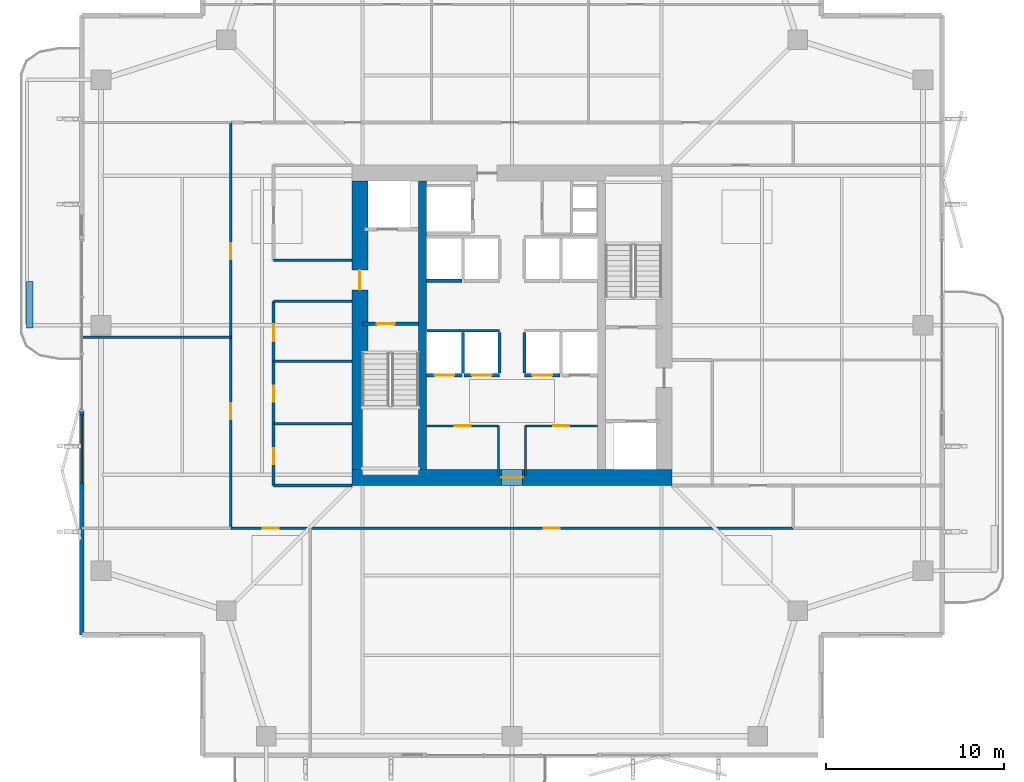
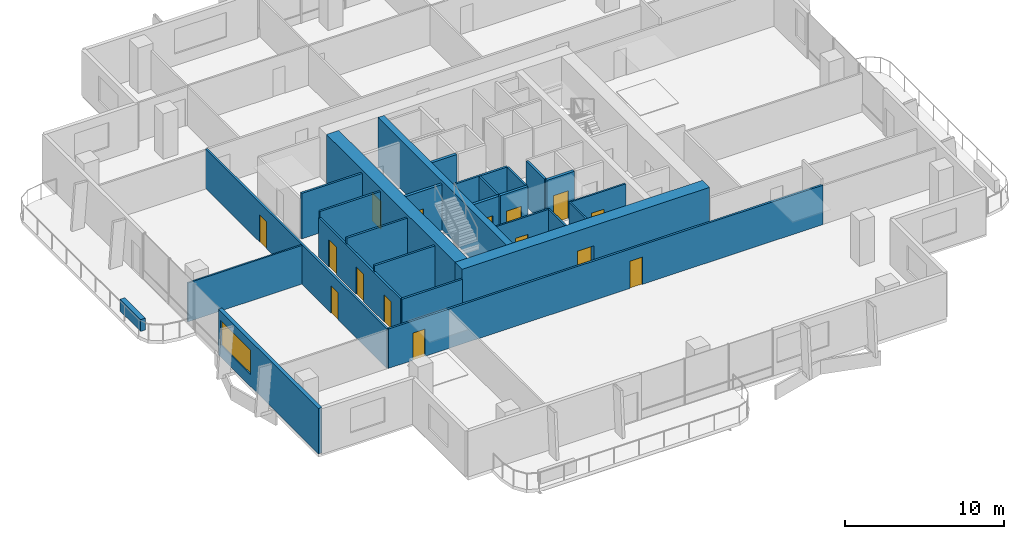
# One storey, part 19 of 25: 27 walls, 15 doors, 1 window, 16 openings.
"""IFC4 building model written with IfcOpenShell, lengths in metres."""

from ifc_helpers import new_model, si_unit, direction, frame, frame_2d, origin, place, context, subcontext, project, spatial, rectangle, extrude, material, layer, layer_set, type_object, element, fill, save


model = new_model("IFC4")

# Units and contexts
model_context = context("Model", 3, precision=1e-05, world=origin(), true_north=direction((0.0, 1.0)))
body_context = subcontext(model_context, "Body", "Model", "MODEL_VIEW")
ifc_project = project(units=[si_unit("LENGTHUNIT", "METRE"), si_unit("AREAUNIT", "SQUARE_METRE"), si_unit("VOLUMEUNIT", "CUBIC_METRE"), si_unit("PLANEANGLEUNIT", "RADIAN"), si_unit("MASSUNIT", "GRAM", prefix="KILO")], contexts=[model_context])

# Site, building, storey
site_placement = place(None, origin())
site = spatial("IfcSite", under=ifc_project, at=site_placement, CompositionType="ELEMENT")
building_placement = place(site_placement, origin())
building = spatial("IfcBuilding", under=site, at=building_placement, Name="Belovzor Exchange Tower", CompositionType="ELEMENT")
storey_placement = place(building_placement, frame((0.0, 0.0, 183.300048828125)))
storey = spatial("IfcBuildingStorey", under=building, at=storey_placement, Name="L45", CompositionType="ELEMENT", Elevation=183.300048828125)

# Wall
ifc_material_1 = material(Name="Acoustic Plasterboard on Galvanised Studs", Category="gypsum")
ifc_layer_1 = layer(ifc_material_1, 0.1201171875)
ifc_layer_set_1 = layer_set([ifc_layer_1], Name="Acoustic Plasterboard on Galvanised Studs")
wall_type_1 = type_object("IfcWallType", Name="Acoustic Double-Stud Partition Wall 120", PredefinedType="PARTITIONING", material=ifc_layer_set_1)
wall_1_placement = place(storey_placement, frame((4.6298828125, 28.1298828125, 0.0), z_axis=(0.0, 0.0, 1.0), x_axis=(1.0, 0.0, 0.0)))
element("IfcWall", 1, at=wall_1_placement, inside=storey, type_object=wall_type_1, Name="W-P120 Partition Wall W-L45-WDIV-1", PredefinedType="PARTITIONING", context=body_context, shape_type="SweptSolid", body=[
    extrude(rectangle(XDim=8.3701171875, YDim=0.1201171875, at=frame_2d((4.18505859375, 0.0))), origin(), (0.0, 0.0, 1.0), 2.97998046875),
])

# Wall, opening, door
ifc_material_2 = material(Name="Fire-Rated Plasterboard on Galvanised Studs", Category="gypsum")
ifc_layer_2 = layer(ifc_material_2, 0.1201171875)
ifc_layer_set_2 = layer_set([ifc_layer_2], Name="Fire-Rated Plasterboard on Galvanised Studs")
wall_type_2 = type_object("IfcWallType", Name="Fire-Rated Double-Stud Partition Wall 120", PredefinedType="PARTITIONING", material=ifc_layer_set_2)
wall_2_placement = place(storey_placement, frame((24.0, 23.14990234375, 0.0), z_axis=(0.0, 0.0, 1.0), x_axis=(1.0, 0.0, 0.0)))
wall_2 = element("IfcWall", 2, at=wall_2_placement, inside=storey, type_object=wall_type_2, Name="W-P120F Partition Wall W-CRL-L45-WN", PredefinedType="PARTITIONING", context=body_context, shape_type="SweptSolid", body=[
    extrude(rectangle(XDim=4.050048828125, YDim=0.1201171875, at=frame_2d((2.02490234375, 0.0))), origin(), (0.0, 0.0, 1.0), 3.494873046875),
])
opening_1_placement = place(wall_2_placement, frame((1.574951171875, 0.0, 0.0)))
opening_1 = element("IfcOpeningElement", 3, at=opening_1_placement, cuts=wall_2, Name="Opening D-FD60-090", PredefinedType="OPENING", context=body_context, shape_type="SweptSolid", body=[
    extrude(rectangle(XDim=0.89990234375, YDim=2.10009765625, at=frame_2d((0.449951171875, 1.050048828125))), frame((0.0, 0.070068359375, 0.0), z_axis=(0.0, -1.0, 0.0), x_axis=(1.0, 0.0, 0.0)), (0.0, 0.0, 1.0), 0.14013671875),
])
ifc_material_3 = material(Name="Acoustic Timber Fire Leaf", Category="wood")
door_type_1 = type_object("IfcDoorType", Name="Core Service & Restroom Fire Door 900x2100", OperationType="NOTDEFINED", PredefinedType="DOOR", material=ifc_material_3)
door_1_placement = place(opening_1_placement, origin())
door_1 = element("IfcDoor", 4, at=door_1_placement, inside=storey, type_object=door_type_1, Name="D-FD60-090 Core Service & Restroom Fire Door 900x2100", OperationType="SINGLE_SWING_LEFT", OverallHeight=2.10009765625, OverallWidth=0.89990234375, PredefinedType="DOOR", context=body_context, shape_type="SweptSolid", body=[
    extrude(rectangle(XDim=0.89990234375, YDim=2.10009765625, at=frame_2d((0.449951171875, 1.050048828125))), frame((0.0, 0.02490234375, 0.0), z_axis=(0.0, -1.0, 0.0), x_axis=(1.0, 0.0, 0.0)), (0.0, 0.0, 1.0), 0.050048828125),
])
fill(opening_1, door_1)

# Wall
wall_3_placement = place(storey_placement, frame((28.050048828125, 20.39990234375, 0.0), z_axis=(0.0, 0.0, 1.0), x_axis=(0.0, 1.0, 0.0)))
element("IfcWall", 5, at=wall_3_placement, inside=storey, type_object=wall_type_2, Name="W-P120F Partition Wall W-CRL-L45-WE", PredefinedType="PARTITIONING", context=body_context, shape_type="SweptSolid", body=[
    extrude(rectangle(XDim=2.75, YDim=0.1201171875, at=frame_2d((1.375, 0.0))), origin(), (0.0, 0.0, 1.0), 3.494873046875),
])

# Wall, opening, door
wall_4_placement = place(storey_placement, frame((29.550048828125, 23.14990234375, 0.0), z_axis=(0.0, 0.0, 1.0), x_axis=(1.0, 0.0, 0.0)))
wall_4 = element("IfcWall", 6, at=wall_4_placement, inside=storey, type_object=wall_type_2, Name="W-P120F Partition Wall W-CRL-L45-EN", PredefinedType="PARTITIONING", context=body_context, shape_type="SweptSolid", body=[
    extrude(rectangle(XDim=4.050048828125, YDim=0.1201171875, at=frame_2d((2.02490234375, 0.0))), origin(), (0.0, 0.0, 1.0), 3.494873046875),
])
opening_2_placement = place(wall_4_placement, frame((1.574951171875, 0.0, 0.0)))
opening_2 = element("IfcOpeningElement", 7, at=opening_2_placement, cuts=wall_4, Name="Opening D-FD60-090", PredefinedType="OPENING", context=body_context, shape_type="SweptSolid", body=[
    extrude(rectangle(XDim=0.89990234375, YDim=2.10009765625, at=frame_2d((0.449951171875, 1.050048828125))), frame((0.0, 0.070068359375, 0.0), z_axis=(0.0, -1.0, 0.0), x_axis=(1.0, 0.0, 0.0)), (0.0, 0.0, 1.0), 0.14013671875),
])
door_2_placement = place(opening_2_placement, origin())
door_2 = element("IfcDoor", 8, at=door_2_placement, inside=storey, type_object=door_type_1, Name="D-FD60-090 Core Service & Restroom Fire Door 900x2100", OperationType="SINGLE_SWING_RIGHT", OverallHeight=2.10009765625, OverallWidth=0.89990234375, PredefinedType="DOOR", context=body_context, shape_type="SweptSolid", body=[
    extrude(rectangle(XDim=0.89990234375, YDim=2.10009765625, at=frame_2d((0.449951171875, 1.050048828125))), frame((0.0, 0.02490234375, 0.0), z_axis=(0.0, -1.0, 0.0), x_axis=(1.0, 0.0, 0.0)), (0.0, 0.0, 1.0), 0.050048828125),
])
fill(opening_2, door_2)

# Walls
wall_5_placement = place(storey_placement, frame((29.550048828125, 20.39990234375, 0.0), z_axis=(0.0, 0.0, 1.0), x_axis=(0.0, 1.0, 0.0)))
element("IfcWall", 9, at=wall_5_placement, inside=storey, type_object=wall_type_2, Name="W-P120F Partition Wall W-CRL-L45-EW", PredefinedType="PARTITIONING", context=body_context, shape_type="SweptSolid", body=[
    extrude(rectangle(XDim=2.75, YDim=0.1201171875, at=frame_2d((1.375, 0.0))), origin(), (0.0, 0.0, 1.0), 3.494873046875),
])
ifc_material_4 = material(Name="Fire-Rated Gypsum Block and Mineral Wool", Category="gypsum")
ifc_layer_3 = layer(ifc_material_4, 0.14990234375)
ifc_layer_set_3 = layer_set([ifc_layer_3], Name="Fire-Rated Gypsum Block and Mineral Wool")
wall_type_3 = type_object("IfcWallType", Name="Fire-Rated Gypsum Block Corridor Wall 150", PredefinedType="PARTITIONING", material=ifc_layer_set_3)
wall_6_placement = place(storey_placement, frame((15.39990234375, 19.800048828125, 0.0), z_axis=(0.0, 0.0, 1.0), x_axis=(1.0, 0.0, 0.0)))
element("IfcWall", 10, at=wall_6_placement, inside=storey, type_object=wall_type_3, Name="W-P150 Partition Wall W-L45-WIC-S", PredefinedType="PARTITIONING", context=body_context, shape_type="SweptSolid", body=[
    extrude(rectangle(XDim=4.400146484375, YDim=0.14990234375, at=frame_2d((2.2001953125, 0.0))), origin(), (0.0, 0.0, 1.0), 3.030029296875),
])
for number, where, z_axis, x_axis, name in (
    (11, (15.39990234375, 23.27490234375, 0.0), (0.0, 0.0, 1.0), (1.0, 0.0, 0.0), "W-P150 Partition Wall W-L45-WIC-D1"),
    (12, (15.39990234375, 26.77490234375, 0.0), (0.0, 0.0, 1.0), (1.0, 0.0, 0.0), "W-P150 Partition Wall W-L45-WIC-D2"),
    (13, (15.39990234375, 30.14990234375, 0.0), (0.0, 0.0, 1.0), (1.0, 0.0, 0.0), "W-P150 Partition Wall W-L45-WIC-N"),
    (14, (15.39990234375, 32.449951171875, 0.0), (0.0, 0.0, 1.0), (1.0, 0.0, 0.0), "W-P150 Partition Wall W-L45-CFW-N"),
):
    element("IfcWall", number, at=place(storey_placement, frame(where, z_axis=z_axis, x_axis=x_axis)), inside=storey, type_object=wall_type_3, Name=name, PredefinedType="PARTITIONING", context=body_context, shape_type="SweptSolid", body=[
        extrude(rectangle(XDim=4.400146484375, YDim=0.14990234375, at=frame_2d((2.2001953125, 0.0))), origin(), (0.0, 0.0, 1.0), 3.494873046875),
    ])

# Wall, openings, doors
wall_7_placement = place(storey_placement, frame((15.39990234375, 19.800048828125, 0.0), z_axis=(0.0, 0.0, 1.0), x_axis=(0.0, 1.0, 0.0)))
wall_7 = element("IfcWall", 15, at=wall_7_placement, inside=storey, type_object=wall_type_3, Name="W-P150 Partition Wall W-L45-WIE-S", PredefinedType="PARTITIONING", context=body_context, shape_type="SweptSolid", body=[
    extrude(rectangle(XDim=10.349853515625, YDim=0.14990234375, at=frame_2d((5.1748046875, 0.0))), origin(), (0.0, 0.0, 1.0), 3.030029296875),
])
opening_3_placement = place(wall_7_placement, frame((1.199951171875, 0.0, 0.0)))
opening_3 = element("IfcOpeningElement", 16, at=opening_3_placement, cuts=wall_7, Name="Opening D-FD60-090", PredefinedType="OPENING", context=body_context, shape_type="SweptSolid", body=[
    extrude(rectangle(XDim=0.89990234375, YDim=2.10009765625, at=frame_2d((0.449951171875, 1.050048828125))), frame((0.0, 0.0849609375, 0.0), z_axis=(0.0, -1.0, 0.0), x_axis=(1.0, 0.0, 0.0)), (0.0, 0.0, 1.0), 0.169921875),
])
opening_4_placement = place(wall_7_placement, frame((4.699951171875, 0.0, 0.0)))
opening_4 = element("IfcOpeningElement", 17, at=opening_4_placement, cuts=wall_7, Name="Opening D-FD60-090", PredefinedType="OPENING", context=body_context, shape_type="SweptSolid", body=[
    extrude(rectangle(XDim=0.89990234375, YDim=2.10009765625, at=frame_2d((0.449951171875, 1.050048828125))), frame((0.0, 0.0849609375, 0.0), z_axis=(0.0, -1.0, 0.0), x_axis=(1.0, 0.0, 0.0)), (0.0, 0.0, 1.0), 0.169921875),
])
opening_5_placement = place(wall_7_placement, frame((8.10009765625, 0.0, 0.0)))
opening_5 = element("IfcOpeningElement", 18, at=opening_5_placement, cuts=wall_7, Name="Opening D-FD60-095", PredefinedType="OPENING", context=body_context, shape_type="SweptSolid", body=[
    extrude(rectangle(XDim=0.949951171875, YDim=2.10009765625, at=frame_2d((0.47509765625, 1.050048828125))), frame((0.0, 0.0849609375, 0.0), z_axis=(0.0, -1.0, 0.0), x_axis=(1.0, 0.0, 0.0)), (0.0, 0.0, 1.0), 0.169921875),
])
ifc_material_5 = material(Name="Moisture-Resistant Timber Fire Leaf", Category="wood")
door_type_2 = type_object("IfcDoorType", Name="Accessible Restroom Wide Fire Door 950x2100", OperationType="NOTDEFINED", PredefinedType="DOOR", material=ifc_material_5)
door_3_placement = place(opening_5_placement, origin())
door_3 = element("IfcDoor", 19, at=door_3_placement, inside=storey, type_object=door_type_2, Name="D-FD60-095 Accessible Restroom Wide Fire Door 950x2100", OperationType="SINGLE_SWING_LEFT", OverallHeight=2.10009765625, OverallWidth=0.949951171875, PredefinedType="DOOR", context=body_context, shape_type="SweptSolid", body=[
    extrude(rectangle(XDim=0.949951171875, YDim=2.10009765625, at=frame_2d((0.47509765625, 1.050048828125))), frame((0.0, 0.02490234375, 0.0), z_axis=(0.0, -1.0, 0.0), x_axis=(1.0, 0.0, 0.0)), (0.0, 0.0, 1.0), 0.050048828125),
])
fill(opening_5, door_3)
door_4_placement = place(opening_3_placement, origin())
door_4 = element("IfcDoor", 20, at=door_4_placement, inside=storey, type_object=door_type_1, Name="D-FD60-090 Core Service & Restroom Fire Door 900x2100", OperationType="SINGLE_SWING_LEFT", OverallHeight=2.10009765625, OverallWidth=0.89990234375, PredefinedType="DOOR", context=body_context, shape_type="SweptSolid", body=[
    extrude(rectangle(XDim=0.89990234375, YDim=2.10009765625, at=frame_2d((0.449951171875, 1.050048828125))), frame((0.0, 0.02490234375, 0.0), z_axis=(0.0, -1.0, 0.0), x_axis=(1.0, 0.0, 0.0)), (0.0, 0.0, 1.0), 0.050048828125),
])
fill(opening_3, door_4)
door_5_placement = place(opening_4_placement, origin())
door_5 = element("IfcDoor", 21, at=door_5_placement, inside=storey, type_object=door_type_1, Name="D-FD60-090 Core Service & Restroom Fire Door 900x2100", OperationType="SINGLE_SWING_RIGHT", OverallHeight=2.10009765625, OverallWidth=0.89990234375, PredefinedType="DOOR", context=body_context, shape_type="SweptSolid", body=[
    extrude(rectangle(XDim=0.89990234375, YDim=2.10009765625, at=frame_2d((0.449951171875, 1.050048828125))), frame((0.0, 0.02490234375, 0.0), z_axis=(0.0, -1.0, 0.0), x_axis=(1.0, 0.0, 0.0)), (0.0, 0.0, 1.0), 0.050048828125),
])
fill(opening_4, door_5)

wall_8_placement = place(storey_placement, frame((13.0, 17.39990234375, 0.0), z_axis=(0.0, 0.0, 1.0), x_axis=(1.0, 0.0, 0.0)))
wall_8 = element("IfcWall", 22, at=wall_8_placement, inside=storey, type_object=wall_type_3, Name="W-P150 Partition Wall W-L45-CS", PredefinedType="PARTITIONING", context=body_context, shape_type="SweptSolid", body=[
    extrude(rectangle(XDim=31.60009765625, YDim=0.14990234375, at=frame_2d((15.800048828125, 0.0))), origin(), (0.0, 0.0, 1.0), 3.030029296875),
])
opening_6_placement = place(wall_8_placement, frame((1.780029296875, 0.0, 0.0)))
opening_6 = element("IfcOpeningElement", 23, at=opening_6_placement, cuts=wall_8, Name="Opening D-INT-090", PredefinedType="OPENING", context=body_context, shape_type="SweptSolid", body=[
    extrude(rectangle(XDim=0.89990234375, YDim=2.10009765625, at=frame_2d((0.449951171875, 1.050048828125))), frame((0.0, 0.0849609375, 0.0), z_axis=(0.0, -1.0, 0.0), x_axis=(1.0, 0.0, 0.0)), (0.0, 0.0, 1.0), 0.169921875),
])
opening_7_placement = place(wall_8_placement, frame((17.580078125, 0.0, 0.0)))
opening_7 = element("IfcOpeningElement", 24, at=opening_7_placement, cuts=wall_8, Name="Opening D-INT-090", PredefinedType="OPENING", context=body_context, shape_type="SweptSolid", body=[
    extrude(rectangle(XDim=0.89990234375, YDim=2.10009765625, at=frame_2d((0.449951171875, 1.050048828125))), frame((0.0, 0.0849609375, 0.0), z_axis=(0.0, -1.0, 0.0), x_axis=(1.0, 0.0, 0.0)), (0.0, 0.0, 1.0), 0.169921875),
])
ifc_material_6 = material(Name="Veneered Hardwood Acoustic Leaf", Category="wood")
door_type_3 = type_object("IfcDoorType", Name="Trading Suite Acoustic Single Door 900x2100", OperationType="NOTDEFINED", PredefinedType="DOOR", material=ifc_material_6)
door_6_placement = place(opening_6_placement, origin())
door_6 = element("IfcDoor", 25, at=door_6_placement, inside=storey, type_object=door_type_3, Name="D-INT-090 Trading Suite Acoustic Single Door 900x2100", OperationType="SINGLE_SWING_LEFT", OverallHeight=2.10009765625, OverallWidth=0.89990234375, PredefinedType="DOOR", context=body_context, shape_type="SweptSolid", body=[
    extrude(rectangle(XDim=0.89990234375, YDim=2.10009765625, at=frame_2d((0.449951171875, 1.050048828125))), frame((0.0, 0.02490234375, 0.0), z_axis=(0.0, -1.0, 0.0), x_axis=(1.0, 0.0, 0.0)), (0.0, 0.0, 1.0), 0.050048828125),
])
fill(opening_6, door_6)
door_7_placement = place(opening_7_placement, origin())
door_7 = element("IfcDoor", 26, at=door_7_placement, inside=storey, type_object=door_type_3, Name="D-INT-090 Trading Suite Acoustic Single Door 900x2100", OperationType="SINGLE_SWING_RIGHT", OverallHeight=2.10009765625, OverallWidth=0.89990234375, PredefinedType="DOOR", context=body_context, shape_type="SweptSolid", body=[
    extrude(rectangle(XDim=0.89990234375, YDim=2.10009765625, at=frame_2d((0.449951171875, 1.050048828125))), frame((0.0, 0.02490234375, 0.0), z_axis=(0.0, -1.0, 0.0), x_axis=(1.0, 0.0, 0.0)), (0.0, 0.0, 1.0), 0.050048828125),
])
fill(opening_7, door_7)

wall_9_placement = place(storey_placement, frame((13.0, 17.39990234375, 0.0), z_axis=(0.0, 0.0, 1.0), x_axis=(0.0, 1.0, 0.0)))
wall_9 = element("IfcWall", 27, at=wall_9_placement, inside=storey, type_object=wall_type_3, Name="W-P150 Partition Wall W-L45-CWO", PredefinedType="PARTITIONING", context=body_context, shape_type="SweptSolid", body=[
    extrude(rectangle(XDim=22.800048828125, YDim=0.14990234375, at=frame_2d((11.39990234375, 0.0))), origin(), (0.0, 0.0, 1.0), 3.030029296875),
])
opening_8_placement = place(wall_9_placement, frame((6.114990234375, 0.0, 0.0)))
opening_8 = element("IfcOpeningElement", 28, at=opening_8_placement, cuts=wall_9, Name="Opening D-INT-090", PredefinedType="OPENING", context=body_context, shape_type="SweptSolid", body=[
    extrude(rectangle(XDim=0.89990234375, YDim=2.10009765625, at=frame_2d((0.449951171875, 1.050048828125))), frame((0.0, 0.0849609375, 0.0), z_axis=(0.0, -1.0, 0.0), x_axis=(1.0, 0.0, 0.0)), (0.0, 0.0, 1.0), 0.169921875),
])
opening_9_placement = place(wall_9_placement, frame((15.114990234375, 0.0, 0.0)))
opening_9 = element("IfcOpeningElement", 29, at=opening_9_placement, cuts=wall_9, Name="Opening D-INT-090", PredefinedType="OPENING", context=body_context, shape_type="SweptSolid", body=[
    extrude(rectangle(XDim=0.89990234375, YDim=2.10009765625, at=frame_2d((0.449951171875, 1.050048828125))), frame((0.0, 0.0849609375, 0.0), z_axis=(0.0, -1.0, 0.0), x_axis=(1.0, 0.0, 0.0)), (0.0, 0.0, 1.0), 0.169921875),
])
door_8_placement = place(opening_8_placement, origin())
door_8 = element("IfcDoor", 30, at=door_8_placement, inside=storey, type_object=door_type_3, Name="D-INT-090 Trading Suite Acoustic Single Door 900x2100", OperationType="SINGLE_SWING_LEFT", OverallHeight=2.10009765625, OverallWidth=0.89990234375, PredefinedType="DOOR", context=body_context, shape_type="SweptSolid", body=[
    extrude(rectangle(XDim=0.89990234375, YDim=2.10009765625, at=frame_2d((0.449951171875, 1.050048828125))), frame((0.0, 0.02490234375, 0.0), z_axis=(0.0, -1.0, 0.0), x_axis=(1.0, 0.0, 0.0)), (0.0, 0.0, 1.0), 0.050048828125),
])
fill(opening_8, door_8)
door_9_placement = place(opening_9_placement, origin())
door_9 = element("IfcDoor", 31, at=door_9_placement, inside=storey, type_object=door_type_3, Name="D-INT-090 Trading Suite Acoustic Single Door 900x2100", OperationType="SINGLE_SWING_LEFT", OverallHeight=2.10009765625, OverallWidth=0.89990234375, PredefinedType="DOOR", context=body_context, shape_type="SweptSolid", body=[
    extrude(rectangle(XDim=0.89990234375, YDim=2.10009765625, at=frame_2d((0.449951171875, 1.050048828125))), frame((0.0, 0.02490234375, 0.0), z_axis=(0.0, -1.0, 0.0), x_axis=(1.0, 0.0, 0.0)), (0.0, 0.0, 1.0), 0.050048828125),
])
fill(opening_9, door_9)

# Wall, opening, window
ifc_material_7 = material(Name="Precast concrete C40/50", Category="concrete")
ifc_layer_4 = layer(ifc_material_7, 0.260009765625)
ifc_layer_set_4 = layer_set([ifc_layer_4], Name="Precast concrete C40/50")
wall_type_4 = type_object("IfcWallType", Name="Precast Concrete Perimeter Loggia Frame Wall 260", PredefinedType="SOLIDWALL", material=ifc_layer_set_4)
wall_10_placement = place(storey_placement, frame((4.6298828125, 11.39990234375, 0.0), z_axis=(0.0, 0.0, 1.0), x_axis=(0.0, 1.0, 0.0)))
wall_10 = element("IfcWall", 32, at=wall_10_placement, inside=storey, type_object=wall_type_4, Name="W-EXT260 Precast Concrete Perimeter Loggia Frame Wall 260 L45", PredefinedType="SOLIDWALL", context=body_context, shape_type="SweptSolid", body=[
    extrude(rectangle(XDim=12.60009765625, YDim=0.260009765625, at=frame_2d((6.300048828125, 0.0))), origin(), (0.0, 0.0, 1.0), 3.494873046875),
])
opening_10_placement = place(wall_10_placement, frame((8.550048828125, 0.0, 0.89990234375)))
opening_10 = element("IfcOpeningElement", 33, at=opening_10_placement, cuts=wall_10, Name="Opening WN-RIB380", PredefinedType="OPENING", context=body_context, shape_type="SweptSolid", body=[
    extrude(rectangle(XDim=3.800048828125, YDim=1.89990234375, at=frame_2d((1.89990234375, 0.949951171875))), frame((0.0, 0.139892578125, 0.0), z_axis=(0.0, -1.0, 0.0), x_axis=(1.0, 0.0, 0.0)), (0.0, 0.0, 1.0), 0.280029296875),
])
ifc_material_8 = material(Name="Thermally Broken Aluminium and Triple Glazing", Category="aluminium")
window_type = type_object("IfcWindowType", Name="Streamline Moderne Horizontal Ribbon Window 3800x1900", PartitioningType="SINGLE_PANEL", PredefinedType="WINDOW", material=ifc_material_8)
window_placement = place(opening_10_placement, origin())
window = element("IfcWindow", 34, at=window_placement, inside=storey, type_object=window_type, Name="WN-RIB380 Streamline Moderne Horizontal Ribbon Window 3800x1900", OverallHeight=1.89990234375, OverallWidth=3.800048828125, PartitioningType="SINGLE_PANEL", PredefinedType="WINDOW", context=body_context, shape_type="SweptSolid", body=[
    extrude(rectangle(XDim=3.800048828125, YDim=1.89990234375, at=frame_2d((1.89990234375, 0.949951171875))), frame((0.0, 0.030029296875, 0.0), z_axis=(0.0, -1.0, 0.0), x_axis=(1.0, 0.0, 0.0)), (0.0, 0.0, 1.0), 0.06005859375),
])
fill(opening_10, window)

# Walls
ifc_material_9 = material(Name="Precast concrete C40/50", Category="concrete")
ifc_layer_5 = layer(ifc_material_9, 0.35009765625)
ifc_layer_set_5 = layer_set([ifc_layer_5], Name="Precast concrete C40/50")
wall_type_5 = type_object("IfcWallType", Name="Precast Concrete Structural Tree Planter Trough 350", PredefinedType="PARAPET", material=ifc_layer_set_5)
wall_11_placement = place(storey_placement, frame((1.699951171875, 28.64990234375, 0.0), z_axis=(0.0, 0.0, 1.0), x_axis=(0.0, 1.0, 0.0)))
element("IfcWall", 35, at=wall_11_placement, inside=storey, type_object=wall_type_5, Name="PT-350 Precast Concrete Structural Tree Planter Trough 350 L45", PredefinedType="PARAPET", context=body_context, shape_type="SweptSolid", body=[
    extrude(rectangle(XDim=2.60009765625, YDim=0.35009765625, at=frame_2d((1.300048828125, 0.0))), origin(), (0.0, 0.0, 1.0), 0.89990234375),
])
ifc_material_10 = material(Name="Concrete C50/60", Category="concrete")
ifc_layer_6 = layer(ifc_material_10, 0.449951171875)
ifc_layer_set_6 = layer_set([ifc_layer_6], Name="Concrete C50/60")
wall_type_6 = type_object("IfcWallType", Name="Reinforced Concrete Core Internal Web Wall 450", PredefinedType="SHEAR", material=ifc_layer_set_6)
wall_12_placement = place(storey_placement, frame((23.77490234375, 20.699951171875, 0.0), z_axis=(0.0, 0.0, 1.0), x_axis=(0.0, 1.0, 0.0)))
element("IfcWall", 36, at=wall_12_placement, inside=storey, type_object=wall_type_6, Name="CW-W045 Core Internal Web Wall L45 WL", PredefinedType="SHEAR", context=body_context, shape_type="SweptSolid", body=[
    extrude(rectangle(XDim=16.199951171875, YDim=0.449951171875, at=frame_2d((8.10009765625, 0.0))), origin(), (0.0, 0.0, 1.0), 3.75),
])
ifc_material_11 = material(Name="Concrete C50/60", Category="concrete")
ifc_layer_7 = layer(ifc_material_11, 0.14990234375)
ifc_layer_set_7 = layer_set([ifc_layer_7], Name="Concrete C50/60")
wall_type_7 = type_object("IfcWallType", Name="Reinforced Concrete Core Riser Shear Wall 150", PredefinedType="SHEAR", material=ifc_layer_set_7)
wall_13_placement = place(storey_placement, frame((24.02001953125, 28.5, 0.0), z_axis=(0.0, 0.0, 1.0), x_axis=(1.0, 0.0, 0.0)))
element("IfcWall", 37, at=wall_13_placement, inside=storey, type_object=wall_type_7, Name="W-C150S Core Shaft Wall W-SHB-L45-PLM-NW", PredefinedType="SHEAR", context=body_context, shape_type="SweptSolid", body=[
    extrude(rectangle(XDim=4.080078125, YDim=0.14990234375, at=frame_2d((2.0400390625, 0.0))), origin(), (0.0, 0.0, 1.0), 3.494873046875),
])
for number, where, z_axis, x_axis, name in (
    (38, (26.050048828125, 26.1201171875, 0.0), (0.0, 0.0, 1.0), (0.0, 1.0, 0.0), "W-C150S Core Shaft Wall W-SHD-L45-PLM-1"),
    (39, (28.10009765625, 26.1201171875, 0.0), (0.0, 0.0, 1.0), (0.0, 1.0, 0.0), "W-C150S Core Shaft Wall W-SHD-L45-PLM-2"),
    (40, (29.5, 26.1201171875, 0.0), (0.0, 0.0, 1.0), (0.0, 1.0, 0.0), "W-C150S Core Shaft Wall W-SHD-L45-PLM-3"),
):
    element("IfcWall", number, at=place(storey_placement, frame(where, z_axis=z_axis, x_axis=x_axis)), inside=storey, type_object=wall_type_7, Name=name, PredefinedType="SHEAR", context=body_context, shape_type="SweptSolid", body=[
        extrude(rectangle(XDim=2.27978515625, YDim=0.14990234375, at=frame_2d((1.139892578125, 0.0))), origin(), (0.0, 0.0, 1.0), 3.494873046875),
    ])

# Wall, opening, door
ifc_material_12 = material(Name="Concrete C50/60", Category="concrete")
ifc_layer_8 = layer(ifc_material_12, 0.199951171875)
ifc_layer_set_8 = layer_set([ifc_layer_8], Name="Concrete C50/60")
wall_type_8 = type_object("IfcWallType", Name="Reinforced Concrete Core Shaft Shear Wall 200", PredefinedType="SHEAR", material=ifc_layer_set_8)
wall_14_placement = place(storey_placement, frame((20.39990234375, 28.89990234375, 0.0), z_axis=(0.0, 0.0, 1.0), x_axis=(1.0, 0.0, 0.0)))
wall_14 = element("IfcWall", 41, at=wall_14_placement, inside=storey, type_object=wall_type_8, Name="W-C200S Core Shaft Wall W-CORE-L45-FFLW1", PredefinedType="SHEAR", context=body_context, shape_type="SweptSolid", body=[
    extrude(rectangle(XDim=3.150146484375, YDim=0.199951171875, at=frame_2d((1.5751953125, 0.0))), origin(), (0.0, 0.0, 1.0), 3.494873046875),
])
opening_11_placement = place(wall_14_placement, frame((0.800048828125, 0.0, 0.0)))
opening_11 = element("IfcOpeningElement", 42, at=opening_11_placement, cuts=wall_14, Name="Opening D-FD90-100", PredefinedType="OPENING", context=body_context, shape_type="SweptSolid", body=[
    extrude(rectangle(XDim=1.0, YDim=2.10009765625, at=frame_2d((0.5, 1.050048828125))), frame((0.0, 0.10986328125, 0.0), z_axis=(0.0, -1.0, 0.0), x_axis=(1.0, 0.0, 0.0)), (0.0, 0.0, 1.0), 0.219970703125),
])
ifc_material_13 = material(Name="Fire-Rated Galvanised Steel Leaf", Category="steel")
door_type_4 = type_object("IfcDoorType", Name="Protected Stairwell Single Fire Door 1000x2100", OperationType="NOTDEFINED", PredefinedType="DOOR", material=ifc_material_13)
door_10_placement = place(opening_11_placement, origin())
door_10 = element("IfcDoor", 43, at=door_10_placement, inside=storey, type_object=door_type_4, Name="D-FD90-100 Protected Stairwell Single Fire Door 1000x2100", OperationType="SINGLE_SWING_RIGHT", OverallHeight=2.10009765625, OverallWidth=1.0, PredefinedType="DOOR", context=body_context, shape_type="SweptSolid", body=[
    extrude(rectangle(XDim=1.0, YDim=2.10009765625, at=frame_2d((0.5, 1.050048828125))), frame((0.0, 0.02490234375, 0.0), z_axis=(0.0, -1.0, 0.0), x_axis=(1.0, 0.0, 0.0)), (0.0, 0.0, 1.0), 0.050048828125),
])
fill(opening_11, door_10)

wall_15_placement = place(storey_placement, frame((24.0, 26.0, 0.0), z_axis=(0.0, 0.0, 1.0), x_axis=(1.0, 0.0, 0.0)))
wall_15 = element("IfcWall", 44, at=wall_15_placement, inside=storey, type_object=wall_type_8, Name="W-C200S Core Shaft Wall W-SH-L45-PL-M1", PredefinedType="SHEAR", context=body_context, shape_type="SweptSolid", body=[
    extrude(rectangle(XDim=2.0, YDim=0.199951171875, at=frame_2d((1.0, 0.0))), origin(), (0.0, 0.0, 1.0), 3.494873046875),
])
opening_12_placement = place(wall_15_placement, frame((0.449951171875, 0.0, 0.0)))
opening_12 = element("IfcOpeningElement", 45, at=opening_12_placement, cuts=wall_15, Name="Opening LD-110", PredefinedType="OPENING", context=body_context, shape_type="SweptSolid", body=[
    extrude(rectangle(XDim=1.10009765625, YDim=2.14990234375, at=frame_2d((0.550048828125, 1.074951171875))), frame((0.0, 0.10986328125, 0.0), z_axis=(0.0, -1.0, 0.0), x_axis=(1.0, 0.0, 0.0)), (0.0, 0.0, 1.0), 0.219970703125),
])
ifc_material_14 = material(Name="Stainless Steel Grade 304", Category="steel")
door_type_5 = type_object("IfcDoorType", Name="Automated Stainless Steel Lift Landing Door 1100x2150", OperationType="SLIDING_TO_RIGHT", PredefinedType="DOOR", material=ifc_material_14)
door_11_placement = place(opening_12_placement, origin())
door_11 = element("IfcDoor", 46, at=door_11_placement, inside=storey, type_object=door_type_5, Name="LD-110 Automated Stainless Steel Lift Landing Door 1100x2150", OperationType="SLIDING_TO_RIGHT", OverallHeight=2.14990234375, OverallWidth=1.10009765625, PredefinedType="DOOR", context=body_context, shape_type="SweptSolid", body=[
    extrude(rectangle(XDim=1.10009765625, YDim=2.14990234375, at=frame_2d((0.550048828125, 1.074951171875))), frame((0.0, 0.02490234375, 0.0), z_axis=(0.0, -1.0, 0.0), x_axis=(1.0, 0.0, 0.0)), (0.0, 0.0, 1.0), 0.050048828125),
])
fill(opening_12, door_11)

wall_16_placement = place(storey_placement, frame((26.10009765625, 26.0, 0.0), z_axis=(0.0, 0.0, 1.0), x_axis=(1.0, 0.0, 0.0)))
wall_16 = element("IfcWall", 47, at=wall_16_placement, inside=storey, type_object=wall_type_8, Name="W-C200S Core Shaft Wall W-SH-L45-PL-M2", PredefinedType="SHEAR", context=body_context, shape_type="SweptSolid", body=[
    extrude(rectangle(XDim=2.0, YDim=0.199951171875, at=frame_2d((1.0, 0.0))), origin(), (0.0, 0.0, 1.0), 3.494873046875),
])
opening_13_placement = place(wall_16_placement, frame((0.449951171875, 0.0, 0.0)))
opening_13 = element("IfcOpeningElement", 48, at=opening_13_placement, cuts=wall_16, Name="Opening LD-110", PredefinedType="OPENING", context=body_context, shape_type="SweptSolid", body=[
    extrude(rectangle(XDim=1.10009765625, YDim=2.14990234375, at=frame_2d((0.550048828125, 1.074951171875))), frame((0.0, 0.10986328125, 0.0), z_axis=(0.0, -1.0, 0.0), x_axis=(1.0, 0.0, 0.0)), (0.0, 0.0, 1.0), 0.219970703125),
])
door_12_placement = place(opening_13_placement, origin())
door_12 = element("IfcDoor", 49, at=door_12_placement, inside=storey, type_object=door_type_5, Name="LD-110 Automated Stainless Steel Lift Landing Door 1100x2150", OperationType="SLIDING_TO_RIGHT", OverallHeight=2.14990234375, OverallWidth=1.10009765625, PredefinedType="DOOR", context=body_context, shape_type="SweptSolid", body=[
    extrude(rectangle(XDim=1.10009765625, YDim=2.14990234375, at=frame_2d((0.550048828125, 1.074951171875))), frame((0.0, 0.02490234375, 0.0), z_axis=(0.0, -1.0, 0.0), x_axis=(1.0, 0.0, 0.0)), (0.0, 0.0, 1.0), 0.050048828125),
])
fill(opening_13, door_12)

wall_17_placement = place(storey_placement, frame((29.5, 26.0, 0.0), z_axis=(0.0, 0.0, 1.0), x_axis=(1.0, 0.0, 0.0)))
wall_17 = element("IfcWall", 50, at=wall_17_placement, inside=storey, type_object=wall_type_8, Name="W-C200S Core Shaft Wall W-SH-L45-PL-M3", PredefinedType="SHEAR", context=body_context, shape_type="SweptSolid", body=[
    extrude(rectangle(XDim=2.0, YDim=0.199951171875, at=frame_2d((1.0, 0.0))), origin(), (0.0, 0.0, 1.0), 3.494873046875),
])
opening_14_placement = place(wall_17_placement, frame((0.449951171875, 0.0, 0.0)))
opening_14 = element("IfcOpeningElement", 51, at=opening_14_placement, cuts=wall_17, Name="Opening LD-110", PredefinedType="OPENING", context=body_context, shape_type="SweptSolid", body=[
    extrude(rectangle(XDim=1.10009765625, YDim=2.14990234375, at=frame_2d((0.550048828125, 1.074951171875))), frame((0.0, 0.10986328125, 0.0), z_axis=(0.0, -1.0, 0.0), x_axis=(1.0, 0.0, 0.0)), (0.0, 0.0, 1.0), 0.219970703125),
])
door_13_placement = place(opening_14_placement, origin())
door_13 = element("IfcDoor", 52, at=door_13_placement, inside=storey, type_object=door_type_5, Name="LD-110 Automated Stainless Steel Lift Landing Door 1100x2150", OperationType="SLIDING_TO_RIGHT", OverallHeight=2.14990234375, OverallWidth=1.10009765625, PredefinedType="DOOR", context=body_context, shape_type="SweptSolid", body=[
    extrude(rectangle(XDim=1.10009765625, YDim=2.14990234375, at=frame_2d((0.550048828125, 1.074951171875))), frame((0.0, 0.02490234375, 0.0), z_axis=(0.0, -1.0, 0.0), x_axis=(1.0, 0.0, 0.0)), (0.0, 0.0, 1.0), 0.050048828125),
])
fill(opening_14, door_13)

# Wall
wall_18_placement = place(storey_placement, frame((24.0, 31.300048828125, 0.0), z_axis=(0.0, 0.0, 1.0), x_axis=(1.0, 0.0, 0.0)))
element("IfcWall", 53, at=wall_18_placement, inside=storey, type_object=wall_type_8, Name="W-C200S Core Shaft Wall W-SH-L45-PL-H1", PredefinedType="SHEAR", context=body_context, shape_type="SweptSolid", body=[
    extrude(rectangle(XDim=2.0, YDim=0.199951171875, at=frame_2d((1.0, 0.0))), origin(), (0.0, 0.0, 1.0), 3.494873046875),
])

# Wall, opening, door
ifc_material_15 = material(Name="Concrete C60/75", Category="concrete")
ifc_layer_9 = layer(ifc_material_15, 0.89990234375)
ifc_layer_set_9 = layer_set([ifc_layer_9], Name="Concrete C60/75")
wall_type_9 = type_object("IfcWallType", Name="Reinforced Concrete Core Shear Wall 900", PredefinedType="SHEAR", material=ifc_layer_set_9)
wall_19_placement = place(storey_placement, frame((19.800048828125, 20.25, 0.0), z_axis=(0.0, 0.0, 1.0), x_axis=(1.0, 0.0, 0.0)))
wall_19 = element("IfcWall", 54, at=wall_19_placement, inside=storey, type_object=wall_type_9, Name="CW-S090 Core Shear Wall L45 S", PredefinedType="SHEAR", context=body_context, shape_type="SweptSolid", body=[
    extrude(rectangle(XDim=18.0, YDim=0.89990234375, at=frame_2d((9.0, 0.0))), origin(), (0.0, 0.0, 1.0), 3.75),
])
opening_15_placement = place(wall_19_placement, frame((8.39990234375, 0.0, 0.0)))
opening_15 = element("IfcOpeningElement", 55, at=opening_15_placement, cuts=wall_19, Name="Opening D-FD90-120", PredefinedType="OPENING", context=body_context, shape_type="SweptSolid", body=[
    extrude(rectangle(XDim=1.199951171875, YDim=2.199951171875, at=frame_2d((0.60009765625, 1.10009765625))), frame((0.0, 0.4599609375, 0.0), z_axis=(0.0, -1.0, 0.0), x_axis=(1.0, 0.0, 0.0)), (0.0, 0.0, 1.0), 0.919921875),
])
ifc_material_16 = material(Name="Fire-Rated Galvanised Steel Leaf", Category="steel")
door_type_6 = type_object("IfcDoorType", Name="Heavy Plant & Foyer Fire Door 1200x2200", OperationType="NOTDEFINED", PredefinedType="DOOR", material=ifc_material_16)
door_14_placement = place(opening_15_placement, origin())
door_14 = element("IfcDoor", 56, at=door_14_placement, inside=storey, type_object=door_type_6, Name="D-FD90-120 Heavy Plant & Foyer Fire Door 1200x2200", OperationType="SINGLE_SWING_LEFT", OverallHeight=2.199951171875, OverallWidth=1.199951171875, PredefinedType="DOOR", context=body_context, shape_type="SweptSolid", body=[
    extrude(rectangle(XDim=1.199951171875, YDim=2.199951171875, at=frame_2d((0.60009765625, 1.10009765625))), frame((0.0, 0.02490234375, 0.0), z_axis=(0.0, -1.0, 0.0), x_axis=(1.0, 0.0, 0.0)), (0.0, 0.0, 1.0), 0.050048828125),
])
fill(opening_15, door_14)

wall_20_placement = place(storey_placement, frame((20.25, 20.699951171875, 0.0), z_axis=(0.0, 0.0, 1.0), x_axis=(0.0, 1.0, 0.0)))
wall_20 = element("IfcWall", 57, at=wall_20_placement, inside=storey, type_object=wall_type_9, Name="CW-S090 Core Shear Wall L45 W", PredefinedType="SHEAR", context=body_context, shape_type="SweptSolid", body=[
    extrude(rectangle(XDim=16.199951171875, YDim=0.89990234375, at=frame_2d((8.10009765625, 0.0))), origin(), (0.0, 0.0, 1.0), 3.75),
])
opening_16_placement = place(wall_20_placement, frame((10.10009765625, 0.0, 0.0)))
opening_16 = element("IfcOpeningElement", 58, at=opening_16_placement, cuts=wall_20, Name="Opening D-FD90-110", PredefinedType="OPENING", context=body_context, shape_type="SweptSolid", body=[
    extrude(rectangle(XDim=1.10009765625, YDim=2.14990234375, at=frame_2d((0.550048828125, 1.074951171875))), frame((0.0, 0.4599609375, 0.0), z_axis=(0.0, -1.0, 0.0), x_axis=(1.0, 0.0, 0.0)), (0.0, 0.0, 1.0), 0.919921875),
])
ifc_material_17 = material(Name="Fire-Rated Galvanised Steel Leaf", Category="steel")
door_type_7 = type_object("IfcDoorType", Name="Protected Escape Vestibule Fire Door 1100x2150", OperationType="NOTDEFINED", PredefinedType="DOOR", material=ifc_material_17)
door_15_placement = place(opening_16_placement, origin())
door_15 = element("IfcDoor", 59, at=door_15_placement, inside=storey, type_object=door_type_7, Name="D-FD90-110 Protected Escape Vestibule Fire Door 1100x2150", OperationType="SINGLE_SWING_LEFT", OverallHeight=2.14990234375, OverallWidth=1.10009765625, PredefinedType="DOOR", context=body_context, shape_type="SweptSolid", body=[
    extrude(rectangle(XDim=1.10009765625, YDim=2.14990234375, at=frame_2d((0.550048828125, 1.074951171875))), frame((0.0, 0.02490234375, 0.0), z_axis=(0.0, -1.0, 0.0), x_axis=(1.0, 0.0, 0.0)), (0.0, 0.0, 1.0), 0.050048828125),
])
fill(opening_16, door_15)

save(model, "model.ifc")
